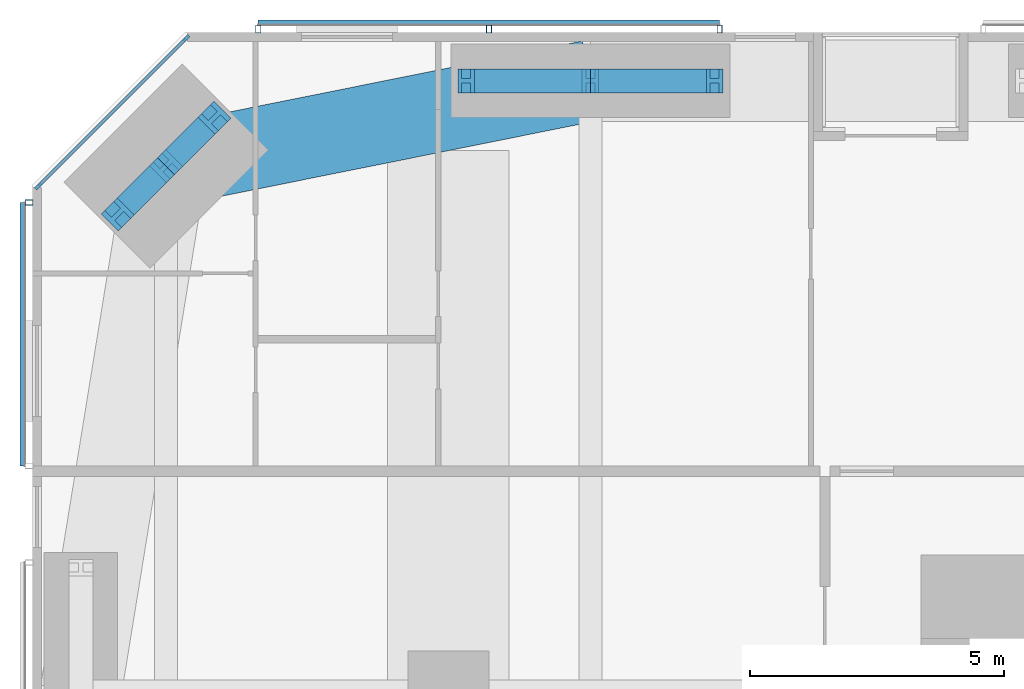
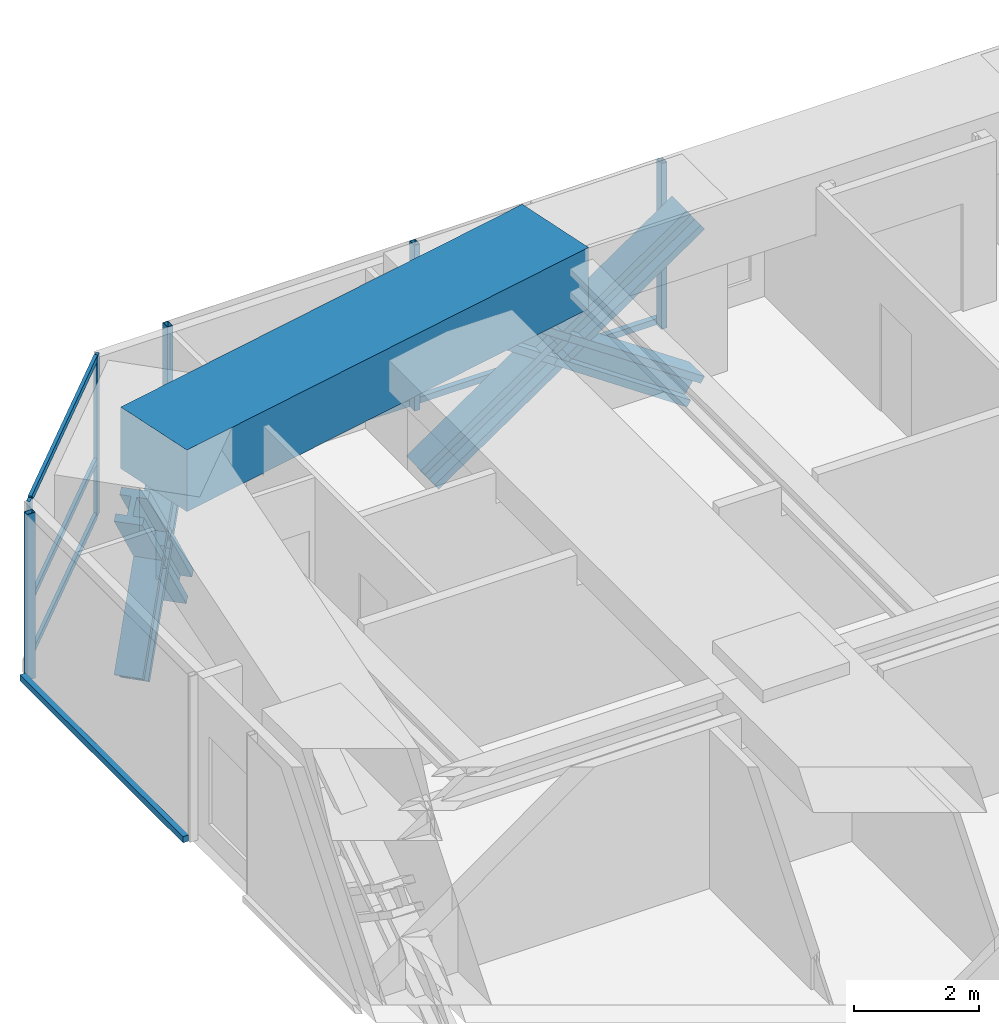
# One storey, part 12 of 24: 19 members, 1 beam, 3 elements without a shape of their own.
"""IFC4 building model written with IfcOpenShell, lengths in metres."""

from ifc_helpers import new_model, si_unit, direction, frame, origin, origin_2d, place, context, subcontext, project, spatial, rectangle, hollow_rectangle, i_section, extrude, material, material_profile, profile_set, type_object, element, aggregate, save


model = new_model("IFC4")

# Units and contexts
model_context = context("Model", 3, precision=1e-05, world=origin(), true_north=direction((0.0, 1.0)))
body_context = subcontext(model_context, "Body", "Model", "MODEL_VIEW")
ifc_project = project(units=[si_unit("LENGTHUNIT", "METRE"), si_unit("AREAUNIT", "SQUARE_METRE"), si_unit("VOLUMEUNIT", "CUBIC_METRE"), si_unit("PLANEANGLEUNIT", "RADIAN"), si_unit("MASSUNIT", "GRAM", prefix="KILO")], contexts=[model_context])

# Site, building, storey
site_placement = place(None, origin())
site = spatial("IfcSite", under=ifc_project, at=site_placement, CompositionType="ELEMENT")
building_placement = place(site_placement, origin())
building = spatial("IfcBuilding", under=site, at=building_placement, Name="Jalousie Tower", CompositionType="ELEMENT")
storey_placement = place(building_placement, frame((0.0, 0.0, 61.199951171875)))
storey = spatial("IfcBuildingStorey", under=building, at=storey_placement, Name="L16", CompositionType="ELEMENT", Elevation=61.199951171875)

# Curtain wall, members
ifc_material_1 = material(Name="Aluminium curtain wall", Category="aluminium")
curtain_wall_type_1 = type_object("IfcCurtainWallType", Name="CORNER WINDOW WALL", PredefinedType="USERDEFINED", material=ifc_material_1)
curtain_wall_1_placement = place(storey_placement, origin())
curtain_wall_1 = element("IfcCurtainWall", 1, at=curtain_wall_1_placement, inside=storey, type_object=curtain_wall_type_1, Name="Corner Window Wall L16 6", ObjectType="CORNER WINDOW WALL", PredefinedType="USERDEFINED")
ifc_material_2 = material(Name="Aluminium mullion", Category="aluminium")
ifc_material_profile_1 = material_profile(ifc_material_2, rectangle(XDim=0.06005859375, YDim=0.14990234375, at=origin_2d()), Name="MULLION 60x150")
ifc_profile_set_1 = profile_set([ifc_material_profile_1], Name="Aluminium mullion")
member_type_1 = type_object("IfcMemberType", Name="CORNER WINDOW WALL MULLION", PredefinedType="MULLION", material=ifc_profile_set_1)
member_1_placement = place(storey_placement, frame((5.030029296875, 37.891357421875, 0.0), z_axis=(0.0, 0.0, 1.0), x_axis=(0.707106781187, -0.707106781187, 0.0)))
member_1 = element("IfcMember", 2, at=member_1_placement, type_object=member_type_1, Name="CW-C mullion 1", PredefinedType="MULLION", context=body_context, shape_type="SweptSolid", body=[
    extrude(rectangle(XDim=0.06005859375, YDim=0.14990234375, at=origin_2d()), origin(), (0.0, 0.0, 1.0), 3.110107421875),
])
member_2_placement = place(storey_placement, frame((2.108642578125, 34.969970703125, 0.0), z_axis=(0.0, 0.0, 1.0), x_axis=(0.707106781187, -0.707106781187, 0.0)))
member_2 = element("IfcMember", 3, at=member_2_placement, type_object=member_type_1, Name="CW-C mullion 2", PredefinedType="MULLION", context=body_context, shape_type="SweptSolid", body=[
    extrude(rectangle(XDim=0.06005859375, YDim=0.14990234375, at=origin_2d()), origin(), (0.0, 0.0, 1.0), 3.110107421875),
])
ifc_material_3 = material(Name="Aluminium transom", Category="aluminium")
ifc_material_profile_2 = material_profile(ifc_material_3, rectangle(XDim=0.06005859375, YDim=0.1201171875, at=origin_2d()), Name="TRANSOM 60x120")
ifc_profile_set_2 = profile_set([ifc_material_profile_2], Name="Aluminium transom")
member_type_2 = type_object("IfcMemberType", Name="CORNER WINDOW WALL TRANSOM", PredefinedType="USERDEFINED", material=ifc_profile_set_2)
member_3_placement = place(storey_placement, frame((5.0087890625, 37.8701171875, 0.030029296875), z_axis=(-0.707106781187, -0.707106781187, 0.0), x_axis=(0.707106781187, -0.707106781187, 0.0)))
member_3 = element("IfcMember", 4, at=member_3_placement, type_object=member_type_2, Name="CW-C transom 1.1", ObjectType="TRANSOM", PredefinedType="USERDEFINED", context=body_context, shape_type="SweptSolid", body=[
    extrude(rectangle(XDim=0.06005859375, YDim=0.1201171875, at=origin_2d()), origin(), (0.0, 0.0, 1.0), 4.0712890625),
])
member_4_placement = place(storey_placement, frame((5.0087890625, 37.8701171875, 1.10009765625), z_axis=(-0.707106781187, -0.707106781187, 0.0), x_axis=(0.707106781187, -0.707106781187, 0.0)))
member_4 = element("IfcMember", 5, at=member_4_placement, type_object=member_type_2, Name="CW-C transom 1.2", ObjectType="TRANSOM", PredefinedType="USERDEFINED", context=body_context, shape_type="SweptSolid", body=[
    extrude(rectangle(XDim=0.06005859375, YDim=0.1201171875, at=origin_2d()), origin(), (0.0, 0.0, 1.0), 4.0712890625),
])
member_5_placement = place(storey_placement, frame((5.0087890625, 37.8701171875, 3.080078125), z_axis=(-0.707106781187, -0.707106781187, 0.0), x_axis=(0.707106781187, -0.707106781187, 0.0)))
member_5 = element("IfcMember", 6, at=member_5_placement, type_object=member_type_2, Name="CW-C transom 1.3", ObjectType="TRANSOM", PredefinedType="USERDEFINED", context=body_context, shape_type="SweptSolid", body=[
    extrude(rectangle(XDim=0.06005859375, YDim=0.1201171875, at=origin_2d()), origin(), (0.0, 0.0, 1.0), 4.0712890625),
])
aggregate(curtain_wall_1, [member_1, member_2, member_3, member_4, member_5])

# Members
ifc_material_4 = material(Name="Steel ASTM A992 Grade 50", Category="steel")
ifc_material_profile_3 = material_profile(ifc_material_4, i_section(OverallWidth=0.472412109375, OverallDepth=0.5791015625, WebThickness=0.094970703125, FlangeThickness=0.1298828125, at=origin_2d()), Name="W14X808")
ifc_profile_set_3 = profile_set([ifc_material_profile_3], Name="Steel ASTM A992 Grade 50")
member_type_3 = type_object("IfcMemberType", Name="PERIMETER BRACE W14X808", PredefinedType="BRACE", material=ifc_profile_set_3)
for number, where, z_axis, x_axis, name in (
    (7, (10.550048828125, 37.050048828125, -0.599853515625), (0.825539243753, 0.0, 0.564344714713), (0.0, 1.0, 0.0), "Perimeter brace 11 L16 part 1"),
    (8, (13.0, 37.050048828125, 1.074951171875), (0.825500916831, 0.0, 0.564400776321), (0.0, 1.0, 0.0), "Perimeter brace 11 L16 part 2"),
    (9, (15.449951171875, 37.050048828125, -0.599853515625), (-0.825539243753, 0.0, 0.564344714713), (0.0, -1.0, 0.0), "Perimeter brace 11 L16 part 3"),
    (10, (13.0, 37.050048828125, 1.074951171875), (-0.825500916831, 0.0, 0.564400776321), (0.0, -1.0, 0.0), "Perimeter brace 11 L16 part 4"),
):
    element("IfcMember", number, at=place(storey_placement, frame(where, z_axis=z_axis, x_axis=x_axis)), inside=storey, type_object=member_type_3, Name=name, PredefinedType="BRACE", context=body_context, shape_type="SweptSolid", body=[
        extrude(i_section(OverallWidth=0.472412109375, OverallDepth=0.5791015625, WebThickness=0.094970703125, FlangeThickness=0.1298828125, at=origin_2d()), origin(), (0.0, 0.0, 1.0), 2.9677734375),
    ])
member_6_placement = place(storey_placement, frame((5.5859375, 36.3232421875, -0.599853515625), z_axis=(-0.443757535686, -0.443757535686, 0.778561814529), x_axis=(0.707106781187, -0.707106781187, 0.0)))
element("IfcMember", 11, at=member_6_placement, inside=storey, type_object=member_type_3, Name="Perimeter brace 12 L16 part 1", PredefinedType="BRACE", context=body_context, shape_type="SweptSolid", body=[
    extrude(i_section(OverallWidth=0.472412109375, OverallDepth=0.5791015625, WebThickness=0.094970703125, FlangeThickness=0.1298828125, at=origin_2d()), origin(), (0.0, 0.0, 1.0), 2.151123046875),
])
member_7_placement = place(storey_placement, frame((4.63134765625, 35.36865234375, 1.074951171875), z_axis=(-0.443718327034, -0.443718327034, 0.778606506849), x_axis=(0.707106781187, -0.707106781187, 0.0)))
element("IfcMember", 12, at=member_7_placement, inside=storey, type_object=member_type_3, Name="Perimeter brace 12 L16 part 2", PredefinedType="BRACE", context=body_context, shape_type="SweptSolid", body=[
    extrude(i_section(OverallWidth=0.472412109375, OverallDepth=0.5791015625, WebThickness=0.094970703125, FlangeThickness=0.1298828125, at=origin_2d()), origin(), (0.0, 0.0, 1.0), 2.1513671875),
])
member_8_placement = place(storey_placement, frame((3.6767578125, 34.4140625, -0.599853515625), z_axis=(0.443757535686, 0.443757535686, 0.778561814529), x_axis=(-0.707106781187, 0.707106781187, 0.0)))
element("IfcMember", 13, at=member_8_placement, inside=storey, type_object=member_type_3, Name="Perimeter brace 12 L16 part 3", PredefinedType="BRACE", context=body_context, shape_type="SweptSolid", body=[
    extrude(i_section(OverallWidth=0.472412109375, OverallDepth=0.5791015625, WebThickness=0.094970703125, FlangeThickness=0.1298828125, at=origin_2d()), origin(), (0.0, 0.0, 1.0), 2.151123046875),
])
member_9_placement = place(storey_placement, frame((4.63134765625, 35.36865234375, 1.074951171875), z_axis=(0.443718327034, 0.443718327034, 0.778606506849), x_axis=(-0.707106781187, 0.707106781187, 0.0)))
element("IfcMember", 14, at=member_9_placement, inside=storey, type_object=member_type_3, Name="Perimeter brace 12 L16 part 4", PredefinedType="BRACE", context=body_context, shape_type="SweptSolid", body=[
    extrude(i_section(OverallWidth=0.472412109375, OverallDepth=0.5791015625, WebThickness=0.094970703125, FlangeThickness=0.1298828125, at=origin_2d()), origin(), (0.0, 0.0, 1.0), 2.1513671875),
])

# Beam
ifc_material_5 = material(Name="Concrete f'c 40 MPa", Category="concrete")
ifc_material_profile_4 = material_profile(ifc_material_5, rectangle(XDim=1.60009765625, YDim=1.199951171875, at=origin_2d()), Name="RC 1600x1200")
ifc_profile_set_4 = profile_set([ifc_material_profile_4], Name="Concrete f'c 40 MPa")
beam_type = type_object("IfcBeamType", Name="RC BEAM 1600x1200", PredefinedType="BEAM", material=ifc_profile_set_4)
beam_placement = place(storey_placement, frame((13.0, 37.050048828125, 2.75), z_axis=(-0.980407585444, -0.196979609107, 0.0), x_axis=(0.196979609107, -0.980407585444, 0.0)))
element("IfcBeam", 15, at=beam_placement, inside=storey, type_object=beam_type, Name="Edge band beam 11-12 under L17", PredefinedType="BEAM", context=body_context, shape_type="SweptSolid", body=[
    extrude(rectangle(XDim=1.60009765625, YDim=1.199951171875, at=origin_2d()), origin(), (0.0, 0.0, 1.0), 8.535888671875),
])

# Curtain wall, members
ifc_material_6 = material(Name="Perforated aluminium sheet", Category="aluminium")
curtain_wall_type_2 = type_object("IfcCurtainWallType", Name="SOLAR SCREEN SS-1", PredefinedType="USERDEFINED", material=ifc_material_6)
curtain_wall_2_placement = place(storey_placement, origin())
curtain_wall_2 = element("IfcCurtainWall", 16, at=curtain_wall_2_placement, inside=storey, type_object=curtain_wall_type_2, Name="Solar screen L16", ObjectType="SOLAR SCREEN SS-1", PredefinedType="USERDEFINED")
ifc_material_7 = material(Name="Steel ASTM A500 Grade C", Category="steel")
ifc_material_profile_5 = material_profile(ifc_material_7, hollow_rectangle(XDim=0.1015625, YDim=0.15234375, WallThickness=0.00634765625, at=origin_2d()), Name="HSS6X4X1/4")
ifc_profile_set_5 = profile_set([ifc_material_profile_5], Name="Steel ASTM A500 Grade C")
member_type_4 = type_object("IfcMemberType", Name="SOLAR SCREEN SS-1 MULLION", PredefinedType="MULLION", material=ifc_profile_set_5)
member_10_placement = place(storey_placement, frame((15.550048828125, 38.0712890625, -0.119873046875), z_axis=(0.0, 0.0, 1.0), x_axis=(-1.0, 0.0, 0.0)))
member_10 = element("IfcMember", 17, at=member_10_placement, type_object=member_type_4, Name="SS1 post 1", PredefinedType="MULLION", context=body_context, shape_type="SweptSolid", body=[
    extrude(hollow_rectangle(XDim=0.1015625, YDim=0.15234375, WallThickness=0.00634765625, at=origin_2d()), origin(), (0.0, 0.0, 1.0), 3.22998046875),
])
member_11_placement = place(storey_placement, frame((11.0, 38.0712890625, -0.119873046875), z_axis=(0.0, 0.0, 1.0), x_axis=(-1.0, 0.0, 0.0)))
member_11 = element("IfcMember", 18, at=member_11_placement, type_object=member_type_4, Name="SS1 post 2", PredefinedType="MULLION", context=body_context, shape_type="SweptSolid", body=[
    extrude(hollow_rectangle(XDim=0.1015625, YDim=0.15234375, WallThickness=0.00634765625, at=origin_2d()), origin(), (0.0, 0.0, 1.0), 3.22998046875),
])
member_12_placement = place(storey_placement, frame((6.449951171875, 38.0712890625, -0.119873046875), z_axis=(0.0, 0.0, 1.0), x_axis=(-1.0, 0.0, 0.0)))
member_12 = element("IfcMember", 19, at=member_12_placement, type_object=member_type_4, Name="SS1 post 3", PredefinedType="MULLION", context=body_context, shape_type="SweptSolid", body=[
    extrude(hollow_rectangle(XDim=0.1015625, YDim=0.15234375, WallThickness=0.00634765625, at=origin_2d()), origin(), (0.0, 0.0, 1.0), 3.22998046875),
])

# Curtain wall, member
curtain_wall_3_placement = place(storey_placement, origin())
curtain_wall_3 = element("IfcCurtainWall", 20, at=curtain_wall_3_placement, inside=storey, type_object=curtain_wall_type_2, Name="Solar screen L16", ObjectType="SOLAR SCREEN SS-1", PredefinedType="USERDEFINED")
member_13_placement = place(storey_placement, frame((1.9287109375, 34.648681640625, -0.119873046875), z_axis=(0.0, 0.0, 1.0), x_axis=(0.0, -1.0, 0.0)))
member_13 = element("IfcMember", 21, at=member_13_placement, type_object=member_type_4, Name="SS1 post 1", PredefinedType="MULLION", context=body_context, shape_type="SweptSolid", body=[
    extrude(hollow_rectangle(XDim=0.1015625, YDim=0.15234375, WallThickness=0.00634765625, at=origin_2d()), origin(), (0.0, 0.0, 1.0), 3.22998046875),
])

# Member
ifc_material_8 = material(Name="Extruded aluminium screen rail", Category="aluminium")
ifc_material_profile_6 = material_profile(ifc_material_8, rectangle(XDim=0.1015625, YDim=0.1201171875, at=origin_2d()), Name="RAIL 102x120")
ifc_profile_set_6 = profile_set([ifc_material_profile_6], Name="Extruded aluminium screen rail")
member_type_5 = type_object("IfcMemberType", Name="SOLAR SCREEN SS-1 TRANSOM", PredefinedType="USERDEFINED", material=ifc_profile_set_6)
member_14_placement = place(storey_placement, frame((15.550048828125, 38.1982421875, -0.06005859375), z_axis=(-1.0, 0.0, 0.0), x_axis=(0.0, -1.0, 0.0)))
member_14 = element("IfcMember", 22, at=member_14_placement, type_object=member_type_5, Name="SS1 rail", ObjectType="TRANSOM", PredefinedType="USERDEFINED", context=body_context, shape_type="SweptSolid", body=[
    extrude(rectangle(XDim=0.1015625, YDim=0.1201171875, at=origin_2d()), origin(), (0.0, 0.0, 1.0), 9.10009765625),
])

aggregate(curtain_wall_2, [member_10, member_11, member_12, member_14])

member_15_placement = place(storey_placement, frame((1.8017578125, 34.648681640625, -0.06005859375), z_axis=(0.0, -1.0, 0.0), x_axis=(1.0, 0.0, 0.0)))
member_15 = element("IfcMember", 23, at=member_15_placement, type_object=member_type_5, Name="SS1 rail", ObjectType="TRANSOM", PredefinedType="USERDEFINED", context=body_context, shape_type="SweptSolid", body=[
    extrude(rectangle(XDim=0.1015625, YDim=0.1201171875, at=origin_2d()), origin(), (0.0, 0.0, 1.0), 5.19873046875),
])

aggregate(curtain_wall_3, [member_13, member_15])

save(model, "model.ifc")
